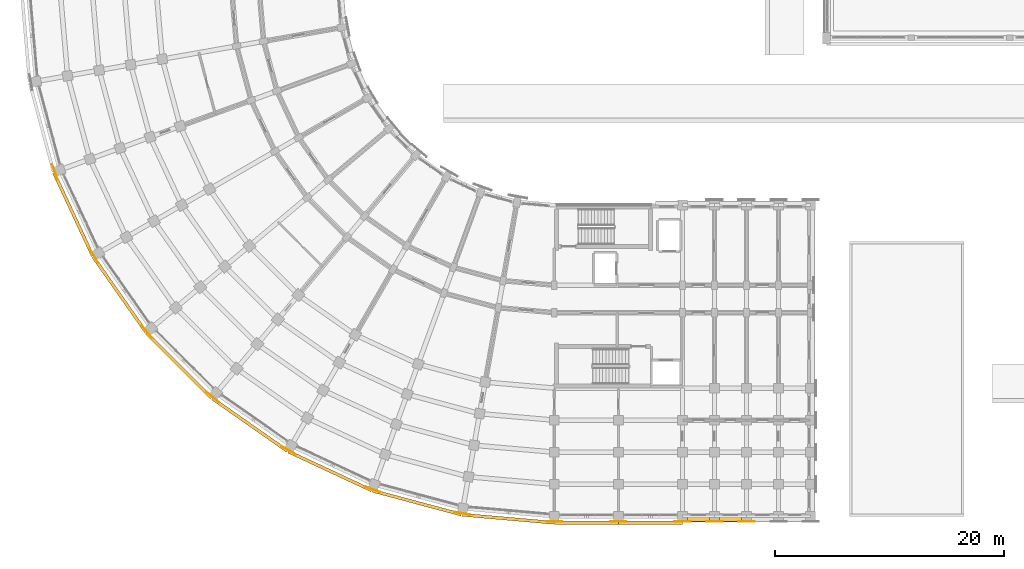
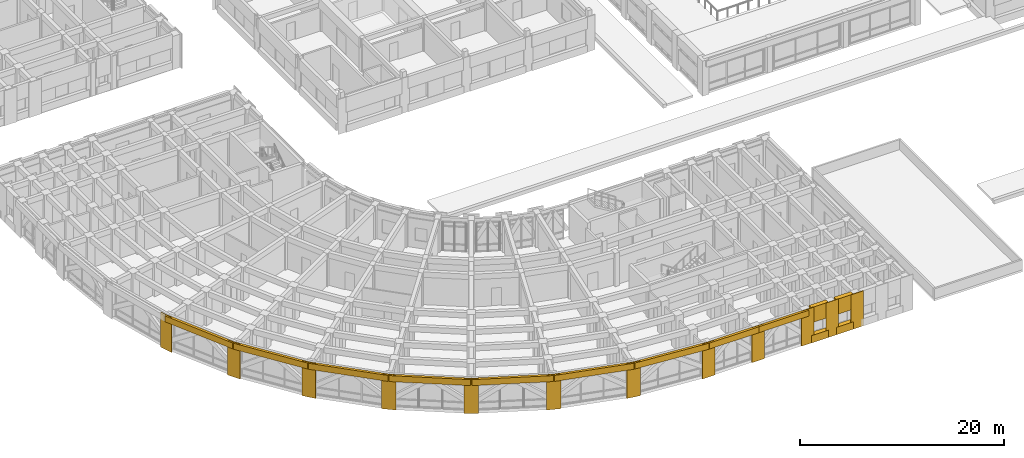
# One storey, part 81 of 97: 25 coverings.
"""IFC4 building model written with IfcOpenShell, lengths in metres."""

from ifc_helpers import new_model, si_unit, direction, frame, origin, place, context, subcontext, project, spatial, polyline, outline, extrude, material, layer, layer_set, type_object, element, save


model = new_model("IFC4")

# Units and contexts
model_context = context("Model", 3, precision=1e-05, world=origin(), true_north=direction((0.0, 1.0)))
body_context = subcontext(model_context, "Body", "Model", "MODEL_VIEW")
ifc_project = project(units=[si_unit("LENGTHUNIT", "METRE"), si_unit("AREAUNIT", "SQUARE_METRE"), si_unit("VOLUMEUNIT", "CUBIC_METRE"), si_unit("PLANEANGLEUNIT", "RADIAN"), si_unit("MASSUNIT", "GRAM", prefix="KILO")], contexts=[model_context])

# Site, building, storey
site_placement = place(None, origin())
site = spatial("IfcSite", under=ifc_project, at=site_placement, CompositionType="ELEMENT")
building_placement = place(site_placement, origin())
building = spatial("IfcBuilding", under=site, at=building_placement, Name="Kiranvali Square Residences", CompositionType="ELEMENT")
storey_placement = place(building_placement, frame((0.0, 0.0, 4.5)))
storey = spatial("IfcBuildingStorey", under=building, at=storey_placement, Name="L01", CompositionType="ELEMENT", Elevation=4.5)

# Coverings
ifc_material_1 = material(Name="Carved Porbandar limestone classical entablature and cornice", Category="masonry")
ifc_layer_1 = layer(ifc_material_1, 0.449951171875)
ifc_layer_set_1 = layer_set([ifc_layer_1], Name="Carved Porbandar limestone classical entablature and cornice")
covering_type_1 = type_object("IfcCoveringType", Name="COV-CLAD-CORN", PredefinedType="CLADDING", material=ifc_layer_set_1)
covering_1_placement = place(storey_placement, frame((0.0, 0.0, 3.47998046875)))
element("IfcCovering", 1, at=covering_1_placement, inside=storey, type_object=covering_type_1, Name="Block C L01 Classical Ottoman arcade entablature 1", PredefinedType="CLADDING", context=body_context, shape_type="SweptSolid", body=[
    extrude(outline(polyline([(48.162841796875, 1.774658203125), (40.175048828125, 2.473388671875), (40.150634765625, 2.196533203125), (48.138671875, 1.49755859375), (48.162841796875, 1.774658203125)])), origin(), (0.0, 0.0, 1.0), 0.715087890625),
])
covering_2_placement = place(storey_placement, frame((0.0, 0.0, 3.47998046875)))
element("IfcCovering", 2, at=covering_2_placement, inside=storey, type_object=covering_type_1, Name="Block C L01 Classical Ottoman arcade entablature 2", PredefinedType="CLADDING", context=body_context, shape_type="SweptSolid", body=[
    extrude(outline(polyline([(40.1015625, 2.486328125), (32.3564453125, 4.561767578125), (32.28466796875, 4.293212890625), (40.02978515625, 2.2177734375), (40.1015625, 2.486328125)])), origin(), (0.0, 0.0, 1.0), 0.715087890625),
])
covering_3_placement = place(storey_placement, frame((0.0, 0.0, 3.47998046875)))
element("IfcCovering", 3, at=covering_3_placement, inside=storey, type_object=covering_type_1, Name="Block C L01 Classical Ottoman arcade entablature 3", PredefinedType="CLADDING", context=body_context, shape_type="SweptSolid", body=[
    extrude(outline(polyline([(32.28662109375, 4.587158203125), (25.01953125, 7.975830078125), (24.902099609375, 7.723876953125), (32.169189453125, 4.335205078125), (32.28662109375, 4.587158203125)])), origin(), (0.0, 0.0, 1.0), 0.715087890625),
])
covering_4_placement = place(storey_placement, frame((0.0, 0.0, 3.47998046875)))
element("IfcCovering", 4, at=covering_4_placement, inside=storey, type_object=covering_type_1, Name="Block C L01 Classical Ottoman arcade entablature 4", PredefinedType="CLADDING", context=body_context, shape_type="SweptSolid", body=[
    extrude(outline(polyline([(24.955078125, 8.012939453125), (18.386962890625, 12.612060546875), (18.227294921875, 12.384521484375), (24.795654296875, 7.785400390625), (24.955078125, 8.012939453125)])), origin(), (0.0, 0.0, 1.0), 0.715087890625),
])
covering_5_placement = place(storey_placement, frame((0.0, 0.0, 3.47998046875)))
element("IfcCovering", 5, at=covering_5_placement, inside=storey, type_object=covering_type_1, Name="Block C L01 Classical Ottoman arcade entablature 5", PredefinedType="CLADDING", context=body_context, shape_type="SweptSolid", body=[
    extrude(outline(polyline([(18.329833984375, 12.659912109375), (12.659912109375, 18.329833984375), (12.46337890625, 18.13330078125), (18.13330078125, 12.46337890625), (18.329833984375, 12.659912109375)])), origin(), (0.0, 0.0, 1.0), 0.715087890625),
])
covering_6_placement = place(storey_placement, frame((0.0, 0.0, 3.47998046875)))
element("IfcCovering", 6, at=covering_6_placement, inside=storey, type_object=covering_type_1, Name="Block C L01 Classical Ottoman arcade entablature 6", PredefinedType="CLADDING", context=body_context, shape_type="SweptSolid", body=[
    extrude(outline(polyline([(12.612060546875, 18.386962890625), (8.012939453125, 24.955078125), (7.785400390625, 24.795654296875), (12.384521484375, 18.227294921875), (12.612060546875, 18.386962890625)])), origin(), (0.0, 0.0, 1.0), 0.715087890625),
])
covering_7_placement = place(storey_placement, frame((0.0, 0.0, 3.47998046875)))
element("IfcCovering", 7, at=covering_7_placement, inside=storey, type_object=covering_type_1, Name="Block C L01 Classical Ottoman arcade entablature 7", PredefinedType="CLADDING", context=body_context, shape_type="SweptSolid", body=[
    extrude(outline(polyline([(7.975830078125, 25.01953125), (4.587158203125, 32.28662109375), (4.335205078125, 32.169189453125), (7.723876953125, 24.902099609375), (7.975830078125, 25.01953125)])), origin(), (0.0, 0.0, 1.0), 0.715087890625),
])
covering_8_placement = place(storey_placement, frame((0.0, 0.0, 3.47998046875)))
element("IfcCovering", 8, at=covering_8_placement, inside=storey, type_object=covering_type_1, Name="Block C L01 Arm 1 street arcade cornice 1", PredefinedType="CLADDING", context=body_context, shape_type="SweptSolid", body=[
    extrude(outline(polyline([(48.199951171875, 1.4951171875), (53.800048828125, 1.4951171875), (53.800048828125, 1.77294921875), (48.199951171875, 1.77294921875), (48.199951171875, 1.4951171875)])), origin(), (0.0, 0.0, 1.0), 0.715087890625),
])
covering_9_placement = place(storey_placement, frame((0.0, 0.0, 3.47998046875)))
element("IfcCovering", 9, at=covering_9_placement, inside=storey, type_object=covering_type_1, Name="Block C L01 Arm 1 street arcade cornice 2", PredefinedType="CLADDING", context=body_context, shape_type="SweptSolid", body=[
    extrude(outline(polyline([(53.800048828125, 1.4951171875), (59.39990234375, 1.4951171875), (59.39990234375, 1.77294921875), (53.800048828125, 1.77294921875), (53.800048828125, 1.4951171875)])), origin(), (0.0, 0.0, 1.0), 0.715087890625),
])
ifc_material_2 = material(Name="Alternating Deccan basalt and Porbandar limestone rusticated plinth ashlar", Category="masonry")
ifc_layer_2 = layer(ifc_material_2, 0.0849609375)
ifc_layer_set_2 = layer_set([ifc_layer_2], Name="Alternating Deccan basalt and Porbandar limestone rusticated plinth ashlar")
covering_type_2 = type_object("IfcCoveringType", Name="COV-CLAD-PLINTH", PredefinedType="CLADDING", material=ifc_layer_set_2)
covering_10_placement = place(storey_placement, frame((0.0, 0.0, 0.0048828125)))
element("IfcCovering", 10, at=covering_10_placement, inside=storey, type_object=covering_type_2, Name="L01 rusticated Ottoman arcade pier CLAD-PR-C-L01-A00", PredefinedType="CLADDING", context=body_context, shape_type="SweptSolid", body=[
    extrude(outline(polyline([(47.4951171875, 1.70703125), (48.905029296875, 1.70703125), (48.905029296875, 1.7744140625), (47.4951171875, 1.7744140625), (47.4951171875, 1.70703125)])), origin(), (0.0, 0.0, 1.0), 4.190185546875),
])
covering_11_placement = place(storey_placement, frame((0.0, 0.0, 0.0048828125)))
element("IfcCovering", 11, at=covering_11_placement, inside=storey, type_object=covering_type_2, Name="L01 rusticated Ottoman arcade pier CLAD-PR-C-L01-A01", PredefinedType="CLADDING", context=body_context, shape_type="SweptSolid", body=[
    extrude(outline(polyline([(39.432373046875, 2.53564453125), (40.82080078125, 2.291015625), (40.83251953125, 2.357421875), (39.444091796875, 2.602294921875), (39.432373046875, 2.53564453125)])), origin(), (0.0, 0.0, 1.0), 4.190185546875),
])
covering_12_placement = place(storey_placement, frame((0.0, 0.0, 0.0048828125)))
element("IfcCovering", 12, at=covering_12_placement, inside=storey, type_object=covering_type_2, Name="L01 rusticated Ottoman arcade pier CLAD-PR-C-L01-A02", PredefinedType="CLADDING", context=body_context, shape_type="SweptSolid", body=[
    extrude(outline(polyline([(31.635986328125, 4.751953125), (32.9609375, 4.269775390625), (32.984130859375, 4.333251953125), (31.6591796875, 4.8154296875), (31.635986328125, 4.751953125)])), origin(), (0.0, 0.0, 1.0), 4.190185546875),
])
covering_13_placement = place(storey_placement, frame((0.0, 0.0, 0.0048828125)))
element("IfcCovering", 13, at=covering_13_placement, inside=storey, type_object=covering_type_2, Name="L01 rusticated Ottoman arcade pier CLAD-PR-C-L01-A03", PredefinedType="CLADDING", context=body_context, shape_type="SweptSolid", body=[
    extrude(outline(polyline([(24.343017578125, 8.288330078125), (25.56396484375, 7.58349609375), (25.597900390625, 7.641845703125), (24.376708984375, 8.346923828125), (24.343017578125, 8.288330078125)])), origin(), (0.0, 0.0, 1.0), 4.190185546875),
])
covering_14_placement = place(storey_placement, frame((0.0, 0.0, 0.0048828125)))
element("IfcCovering", 14, at=covering_14_placement, inside=storey, type_object=covering_type_2, Name="L01 rusticated Ottoman arcade pier CLAD-PR-C-L01-A04", PredefinedType="CLADDING", context=body_context, shape_type="SweptSolid", body=[
    extrude(outline(polyline([(17.77490234375, 13.037353515625), (18.85498046875, 12.131103515625), (18.8984375, 12.182861328125), (17.818115234375, 13.089111328125), (17.77490234375, 13.037353515625)])), origin(), (0.0, 0.0, 1.0), 4.190185546875),
])
covering_15_placement = place(storey_placement, frame((0.0, 0.0, 0.0048828125)))
element("IfcCovering", 15, at=covering_15_placement, inside=storey, type_object=covering_type_2, Name="L01 rusticated Ottoman arcade pier CLAD-PR-C-L01-A05", PredefinedType="CLADDING", context=body_context, shape_type="SweptSolid", body=[
    extrude(outline(polyline([(12.131103515625, 18.85498046875), (13.037353515625, 17.77490234375), (13.089111328125, 17.818115234375), (12.182861328125, 18.8984375), (12.131103515625, 18.85498046875)])), origin(), (0.0, 0.0, 1.0), 4.190185546875),
])
covering_16_placement = place(storey_placement, frame((0.0, 0.0, 0.0048828125)))
element("IfcCovering", 16, at=covering_16_placement, inside=storey, type_object=covering_type_2, Name="L01 rusticated Ottoman arcade pier CLAD-PR-C-L01-A06", PredefinedType="CLADDING", context=body_context, shape_type="SweptSolid", body=[
    extrude(outline(polyline([(7.58349609375, 25.56396484375), (8.288330078125, 24.343017578125), (8.346923828125, 24.376708984375), (7.641845703125, 25.597900390625), (7.58349609375, 25.56396484375)])), origin(), (0.0, 0.0, 1.0), 4.190185546875),
])
covering_17_placement = place(storey_placement, frame((0.0, 0.0, 0.0048828125)))
element("IfcCovering", 17, at=covering_17_placement, inside=storey, type_object=covering_type_2, Name="L01 rusticated Ottoman arcade pier CLAD-PR-C-L01-A07", PredefinedType="CLADDING", context=body_context, shape_type="SweptSolid", body=[
    extrude(outline(polyline([(4.269775390625, 32.9609375), (4.751953125, 31.635986328125), (4.8154296875, 31.6591796875), (4.333251953125, 32.984130859375), (4.269775390625, 32.9609375)])), origin(), (0.0, 0.0, 1.0), 4.190185546875),
])
covering_18_placement = place(storey_placement, frame((0.0, 0.0, 0.0048828125)))
element("IfcCovering", 18, at=covering_18_placement, inside=storey, type_object=covering_type_2, Name="L01 Classical limestone pilaster casing CLAD-PR-C-L01-U56", PredefinedType="CLADDING", context=body_context, shape_type="SweptSolid", body=[
    extrude(outline(polyline([(53.094970703125, 1.70703125), (54.5048828125, 1.70703125), (54.5048828125, 1.7744140625), (53.094970703125, 1.7744140625), (53.094970703125, 1.70703125)])), origin(), (0.0, 0.0, 1.0), 4.190185546875),
])
covering_19_placement = place(storey_placement, frame((0.0, 0.0, 0.0048828125)))
element("IfcCovering", 19, at=covering_19_placement, inside=storey, type_object=covering_type_2, Name="L01 Classical limestone pilaster casing CLAD-PR-C-L01-U112", PredefinedType="CLADDING", context=body_context, shape_type="SweptSolid", body=[
    extrude(outline(polyline([(58.695068359375, 1.70703125), (60.10498046875, 1.70703125), (60.10498046875, 1.7744140625), (58.695068359375, 1.7744140625), (58.695068359375, 1.70703125)])), origin(), (0.0, 0.0, 1.0), 4.190185546875),
])
covering_20_placement = place(storey_placement, frame((0.0, 0.0, 0.0048828125)))
element("IfcCovering", 20, at=covering_20_placement, inside=storey, type_object=covering_type_2, Name="L01 Classical limestone pilaster casing CLAD-PR-C-L01-U140", PredefinedType="CLADDING", context=body_context, shape_type="SweptSolid", body=[
    extrude(outline(polyline([(61.4951171875, 1.70703125), (62.905029296875, 1.70703125), (62.905029296875, 1.7744140625), (61.4951171875, 1.7744140625), (61.4951171875, 1.70703125)])), origin(), (0.0, 0.0, 1.0), 4.190185546875),
])
covering_21_placement = place(storey_placement, frame((0.0, 0.0, 0.0048828125)))
element("IfcCovering", 21, at=covering_21_placement, inside=storey, type_object=covering_type_2, Name="L01 Classical limestone pilaster casing CLAD-PR-C-L01-U167", PredefinedType="CLADDING", context=body_context, shape_type="SweptSolid", body=[
    extrude(outline(polyline([(64.294921875, 1.70703125), (65.705078125, 1.70703125), (65.705078125, 1.7744140625), (64.294921875, 1.7744140625), (64.294921875, 1.70703125)])), origin(), (0.0, 0.0, 1.0), 4.190185546875),
])
ifc_material_3 = material(Name="Honed Porbandar limestone ashlar facade cladding", Category="masonry")
ifc_layer_3 = layer(ifc_material_3, 0.360107421875)
ifc_layer_set_3 = layer_set([ifc_layer_3], Name="Honed Porbandar limestone ashlar facade cladding")
covering_type_3 = type_object("IfcCoveringType", Name="COV-CLAD-WALL", PredefinedType="CLADDING", material=ifc_layer_set_3)
covering_22_placement = place(storey_placement, frame((0.0, 0.0, 2.3798828125)))
element("IfcCovering", 22, at=covering_22_placement, inside=storey, type_object=covering_type_3, Name="L01 light limestone spandrel lintel C-L01-A1O-2", PredefinedType="CLADDING", context=body_context, shape_type="SweptSolid", body=[
    extrude(outline(polyline([(59.840087890625, 1.72509765625), (61.760009765625, 1.72509765625), (61.760009765625, 2.199462890625), (59.840087890625, 2.199462890625), (59.840087890625, 1.72509765625)])), origin(), (0.0, 0.0, 1.0), 1.815185546875),
])
covering_23_placement = place(storey_placement, frame((0.0, 0.0, 0.0048828125)))
element("IfcCovering", 23, at=covering_23_placement, inside=storey, type_object=covering_type_3, Name="L01 limestone window sill apron C-L01-A1O-2", PredefinedType="CLADDING", context=body_context, shape_type="SweptSolid", body=[
    extrude(outline(polyline([(59.840087890625, 1.695068359375), (61.760009765625, 1.695068359375), (61.760009765625, 2.199462890625), (59.840087890625, 2.199462890625), (59.840087890625, 1.695068359375)])), origin(), (0.0, 0.0, 1.0), 0.875),
])
covering_24_placement = place(storey_placement, frame((0.0, 0.0, 2.3798828125)))
element("IfcCovering", 24, at=covering_24_placement, inside=storey, type_object=covering_type_3, Name="L01 light limestone spandrel lintel C-L01-A1O-3", PredefinedType="CLADDING", context=body_context, shape_type="SweptSolid", body=[
    extrude(outline(polyline([(62.639892578125, 1.72509765625), (64.56005859375, 1.72509765625), (64.56005859375, 2.199462890625), (62.639892578125, 2.199462890625), (62.639892578125, 1.72509765625)])), origin(), (0.0, 0.0, 1.0), 1.815185546875),
])
covering_25_placement = place(storey_placement, frame((0.0, 0.0, 0.0048828125)))
element("IfcCovering", 25, at=covering_25_placement, inside=storey, type_object=covering_type_3, Name="L01 limestone window sill apron C-L01-A1O-3", PredefinedType="CLADDING", context=body_context, shape_type="SweptSolid", body=[
    extrude(outline(polyline([(62.639892578125, 1.695068359375), (64.56005859375, 1.695068359375), (64.56005859375, 2.199462890625), (62.639892578125, 2.199462890625), (62.639892578125, 1.695068359375)])), origin(), (0.0, 0.0, 1.0), 0.875),
])

save(model, "model.ifc")
